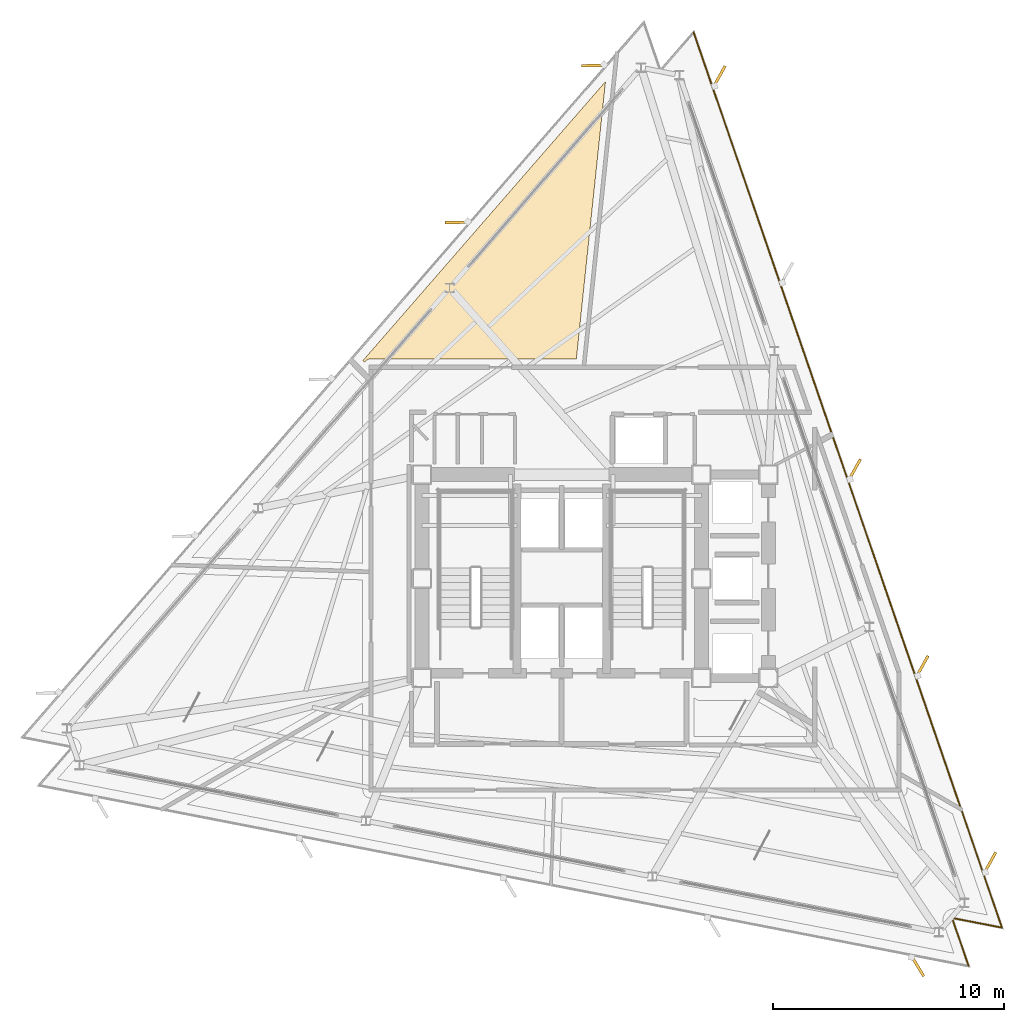
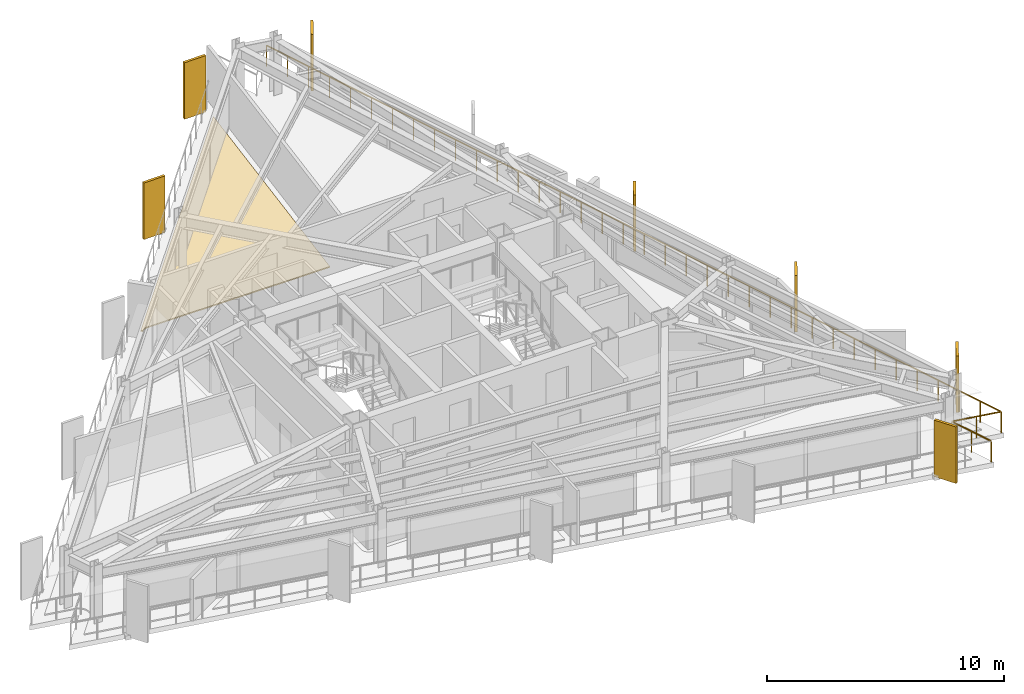
# One storey, part 13 of 13: 7 shading devices, 1 covering, 1 railing.
"""IFC4 building model written with IfcOpenShell, lengths in metres."""

from ifc_helpers import new_model, si_unit, direction, frame, origin, origin_2d, place, context, subcontext, project, spatial, polyline, rectangle, outline, extrude, material, layer, layer_set, type_object, element, save


model = new_model("IFC4")

# Units and contexts
model_context = context("Model", 3, precision=1e-05, world=origin(), true_north=direction((0.0, 1.0)))
body_context = subcontext(model_context, "Body", "Model", "MODEL_VIEW")
ifc_project = project(units=[si_unit("LENGTHUNIT", "METRE"), si_unit("AREAUNIT", "SQUARE_METRE"), si_unit("VOLUMEUNIT", "CUBIC_METRE"), si_unit("PLANEANGLEUNIT", "RADIAN"), si_unit("MASSUNIT", "GRAM", prefix="KILO")], contexts=[model_context])

# Site, building, storey
site_placement = place(None, origin())
site = spatial("IfcSite", under=ifc_project, at=site_placement, CompositionType="ELEMENT")
building_placement = place(site_placement, origin())
building = spatial("IfcBuilding", under=site, at=building_placement, Name="Rocaltana Carrier Exchange", CompositionType="ELEMENT")
storey_placement = place(building_placement, frame((0.0, 0.0, 165.43994140625)))
storey = spatial("IfcBuildingStorey", under=building, at=storey_placement, Name="L52", CompositionType="ELEMENT", Elevation=165.43994140625)

# Covering
ifc_material_1 = material(Name="Calcium Sulphate & Aluminium Pedestal", Category="aluminium")
ifc_layer_1 = layer(ifc_material_1, 0.06005859375)
ifc_layer_set_1 = layer_set([ifc_layer_1], Name="Calcium Sulphate & Aluminium Pedestal")
covering_type = type_object("IfcCoveringType", Name="Anti-Static Raised Exchange Access Floor 60", PredefinedType="FLOORING", material=ifc_layer_set_1)
covering_placement = place(storey_placement, origin())
element("IfcCovering", 1, at=covering_placement, inside=storey, type_object=covering_type, Name="L52 Quiet Focus Lounge Finish Floor", PredefinedType="FLOORING", context=body_context, shape_type="SweptSolid", body=[
    extrude(outline(polyline([(-8.54052734375, 9.3623046875), (-8.607421875, 9.431396484375), (1.899658203125, 21.518310546875), (0.6376953125, 9.510009765625), (-8.25, 9.510009765625), (-8.263671875, 9.509765625), (-8.271484375, 9.50927734375), (-8.298828125, 9.506591796875), (-8.306640625, 9.50537109375), (-8.33349609375, 9.5), (-8.34130859375, 9.498291015625), (-8.36767578125, 9.490234375), (-8.375, 9.487548828125), (-8.400390625, 9.47705078125), (-8.407470703125, 9.4736328125), (-8.431640625, 9.460693359375), (-8.4384765625, 9.456787109375), (-8.461181640625, 9.44140625), (-8.467529296875, 9.436767578125), (-8.48876953125, 9.419189453125), (-8.49462890625, 9.4140625), (-8.513916015625, 9.39453125), (-8.519287109375, 9.388916015625), (-8.53662109375, 9.367431640625), (-8.54052734375, 9.3623046875)])), origin(), (0.0, 0.0, 1.0), 0.06005859375),
])

# Shading devices
ifc_material_2 = material(Name="Honed Bogota Sandstone & Concrete C45/55", Category="masonry")
ifc_layer_2 = layer(ifc_material_2, 0.1201171875)
ifc_layer_set_2 = layer_set([ifc_layer_2], Name="Honed Bogota Sandstone & Concrete C45/55")
shading_device_type = type_object("IfcShadingDeviceType", Name="Upper Sandstone Shading Fin 1050x120", PredefinedType="USERDEFINED", material=ifc_layer_set_2)
for number, where, z_axis, x_axis, name in (
    (2, (18.541748046875, -12.3095703125, -0.1201171875), (0.0, 0.0, 1.0), (0.484809620246, 0.874619707139, 0.0), "L52 Sandstone Vertical Fin F1-01"),
    (3, (15.61181640625, -3.7998046875, -0.1201171875), (0.0, 0.0, 1.0), (0.484809620246, 0.874619707139, 0.0), "L52 Sandstone Vertical Fin F1-02"),
    (4, (12.681396484375, 4.709716796875, -0.1201171875), (0.0, 0.0, 1.0), (0.484809620246, 0.874619707139, 0.0), "L52 Sandstone Vertical Fin F1-03"),
    (5, (6.8212890625, 21.729248046875, -0.1201171875), (0.0, 0.0, 1.0), (0.484809620246, 0.874619707139, 0.0), "L52 Sandstone Vertical Fin F1-05"),
    (6, (1.389404296875, 22.21240234375, -0.1201171875), (0.0, 0.0, 1.0), (-0.999847695156, -0.017452406437, 0.0), "L52 Sandstone Vertical Fin F2-01"),
    (7, (-4.51513671875, 15.419921875, -0.1201171875), (0.0, 0.0, 1.0), (-0.999847695156, -0.017452406437, 0.0), "L52 Sandstone Vertical Fin F2-02"),
    (8, (15.407470703125, -16.77197265625, -0.1201171875), (0.0, 0.0, 1.0), (0.51503807491, -0.857167300702, 0.0), "L52 Sandstone Vertical Fin F3-05"),
):
    element("IfcShadingDevice", number, at=place(storey_placement, frame(where, z_axis=z_axis, x_axis=x_axis)), inside=storey, type_object=shading_device_type, Name=name, ObjectType="FIN", PredefinedType="USERDEFINED", context=body_context, shape_type="SweptSolid", body=[
        extrude(rectangle(XDim=1.050048828125, YDim=0.1201171875, at=origin_2d()), origin(), (0.0, 0.0, 1.0), 2.907958984375),
    ])

# Railing
ifc_material_3 = material(Name="Powder-Coated Aluminium 6063-T6", Category="aluminium")
ifc_layer_3 = layer(ifc_material_3, 0.06005859375)
ifc_layer_set_3 = layer_set([ifc_layer_3], Name="Powder-Coated Aluminium 6063-T6")
railing_type = type_object("IfcRailingType", Name="Wind-Floor & Terrace Perimeter Guardrail 1100", PredefinedType="GUARDRAIL", material=ifc_layer_set_3)
railing_placement = place(storey_placement, frame((5.716796875, 23.6455078125, 0.0)))
element("IfcRailing", 9, at=railing_placement, inside=storey, type_object=railing_type, Name="L52 Perimeter Balcony Guardrail 3", PredefinedType="GUARDRAIL", context=body_context, shape_type="SweptSolid", body=[
    extrude(rectangle(XDim=0.048095703125, YDim=0.048095703125, at=origin_2d()), frame((0.0, 0.0, 1.076171875), z_axis=(0.325567757379, -0.945518712324, 0.0), x_axis=(0.945518712324, 0.325567757379, 0.0)), (0.0, 0.0, 1.0), 40.9921875),
    extrude(rectangle(XDim=0.048095703125, YDim=0.048095703125, at=origin_2d()), frame((13.345703125, -38.7587890625, 1.076171875), z_axis=(-0.981637329589, 0.190756790591, 0.0), x_axis=(-0.190756790591, -0.981637329589, 0.0)), (0.0, 0.0, 1.0), 2.199951171875),
    extrude(rectangle(XDim=0.048095703125, YDim=0.048095703125, at=origin_2d()), frame((11.18603515625, -38.339111328125, 1.076171875), z_axis=(0.325600768791, -0.945507344955, 0.0), x_axis=(0.945507344955, 0.325600768791, 0.0)), (0.0, 0.0, 1.0), 2.199951171875),
    extrude(rectangle(XDim=0.0419921875, YDim=0.0419921875, at=origin_2d()), origin(), (0.0, 0.0, 1.0), 1.052001953125),
    extrude(rectangle(XDim=0.0419921875, YDim=0.0419921875, at=origin_2d()), frame((0.38134765625, -1.107421875, 0.0)), (0.0, 0.0, 1.0), 1.052001953125),
    extrude(rectangle(XDim=0.0419921875, YDim=0.0419921875, at=origin_2d()), frame((0.7626953125, -2.21484375, 0.0)), (0.0, 0.0, 1.0), 1.052001953125),
    extrude(rectangle(XDim=0.0419921875, YDim=0.0419921875, at=origin_2d()), frame((1.143798828125, -3.322265625, 0.0)), (0.0, 0.0, 1.0), 1.052001953125),
    extrude(rectangle(XDim=0.0419921875, YDim=0.0419921875, at=origin_2d()), frame((1.525146484375, -4.4296875, 0.0)), (0.0, 0.0, 1.0), 1.052001953125),
    extrude(rectangle(XDim=0.0419921875, YDim=0.0419921875, at=origin_2d()), frame((1.906494140625, -5.536865234375, 0.0)), (0.0, 0.0, 1.0), 1.052001953125),
    extrude(rectangle(XDim=0.0419921875, YDim=0.0419921875, at=origin_2d()), frame((2.287841796875, -6.644287109375, 0.0)), (0.0, 0.0, 1.0), 1.052001953125),
    extrude(rectangle(XDim=0.0419921875, YDim=0.0419921875, at=origin_2d()), frame((2.669189453125, -7.751708984375, 0.0)), (0.0, 0.0, 1.0), 1.052001953125),
    extrude(rectangle(XDim=0.0419921875, YDim=0.0419921875, at=origin_2d()), frame((3.050537109375, -8.859130859375, 0.0)), (0.0, 0.0, 1.0), 1.052001953125),
    extrude(rectangle(XDim=0.0419921875, YDim=0.0419921875, at=origin_2d()), frame((3.431640625, -9.966552734375, 0.0)), (0.0, 0.0, 1.0), 1.052001953125),
    extrude(rectangle(XDim=0.0419921875, YDim=0.0419921875, at=origin_2d()), frame((3.81298828125, -11.073974609375, 0.0)), (0.0, 0.0, 1.0), 1.052001953125),
    extrude(rectangle(XDim=0.0419921875, YDim=0.0419921875, at=origin_2d()), frame((4.1943359375, -12.181396484375, 0.0)), (0.0, 0.0, 1.0), 1.052001953125),
    extrude(rectangle(XDim=0.0419921875, YDim=0.0419921875, at=origin_2d()), frame((4.57568359375, -13.288818359375, 0.0)), (0.0, 0.0, 1.0), 1.052001953125),
    extrude(rectangle(XDim=0.0419921875, YDim=0.0419921875, at=origin_2d()), frame((4.95703125, -14.396240234375, 0.0)), (0.0, 0.0, 1.0), 1.052001953125),
    extrude(rectangle(XDim=0.0419921875, YDim=0.0419921875, at=origin_2d()), frame((5.33837890625, -15.50341796875, 0.0)), (0.0, 0.0, 1.0), 1.052001953125),
    extrude(rectangle(XDim=0.0419921875, YDim=0.0419921875, at=origin_2d()), frame((5.719482421875, -16.61083984375, 0.0)), (0.0, 0.0, 1.0), 1.052001953125),
    extrude(rectangle(XDim=0.0419921875, YDim=0.0419921875, at=origin_2d()), frame((6.100830078125, -17.71826171875, 0.0)), (0.0, 0.0, 1.0), 1.052001953125),
    extrude(rectangle(XDim=0.0419921875, YDim=0.0419921875, at=origin_2d()), frame((6.482177734375, -18.82568359375, 0.0)), (0.0, 0.0, 1.0), 1.052001953125),
    extrude(rectangle(XDim=0.0419921875, YDim=0.0419921875, at=origin_2d()), frame((6.863525390625, -19.93310546875, 0.0)), (0.0, 0.0, 1.0), 1.052001953125),
    extrude(rectangle(XDim=0.0419921875, YDim=0.0419921875, at=origin_2d()), frame((7.244873046875, -21.04052734375, 0.0)), (0.0, 0.0, 1.0), 1.052001953125),
    extrude(rectangle(XDim=0.0419921875, YDim=0.0419921875, at=origin_2d()), frame((7.626220703125, -22.14794921875, 0.0)), (0.0, 0.0, 1.0), 1.052001953125),
    extrude(rectangle(XDim=0.0419921875, YDim=0.0419921875, at=origin_2d()), frame((8.00732421875, -23.25537109375, 0.0)), (0.0, 0.0, 1.0), 1.052001953125),
    extrude(rectangle(XDim=0.0419921875, YDim=0.0419921875, at=origin_2d()), frame((8.388671875, -24.362548828125, 0.0)), (0.0, 0.0, 1.0), 1.052001953125),
    extrude(rectangle(XDim=0.0419921875, YDim=0.0419921875, at=origin_2d()), frame((8.77001953125, -25.469970703125, 0.0)), (0.0, 0.0, 1.0), 1.052001953125),
    extrude(rectangle(XDim=0.0419921875, YDim=0.0419921875, at=origin_2d()), frame((9.1513671875, -26.577392578125, 0.0)), (0.0, 0.0, 1.0), 1.052001953125),
    extrude(rectangle(XDim=0.0419921875, YDim=0.0419921875, at=origin_2d()), frame((9.53271484375, -27.684814453125, 0.0)), (0.0, 0.0, 1.0), 1.052001953125),
    extrude(rectangle(XDim=0.0419921875, YDim=0.0419921875, at=origin_2d()), frame((9.9140625, -28.792236328125, 0.0)), (0.0, 0.0, 1.0), 1.052001953125),
    extrude(rectangle(XDim=0.0419921875, YDim=0.0419921875, at=origin_2d()), frame((10.295166015625, -29.899658203125, 0.0)), (0.0, 0.0, 1.0), 1.052001953125),
    extrude(rectangle(XDim=0.0419921875, YDim=0.0419921875, at=origin_2d()), frame((10.676513671875, -31.007080078125, 0.0)), (0.0, 0.0, 1.0), 1.052001953125),
    extrude(rectangle(XDim=0.0419921875, YDim=0.0419921875, at=origin_2d()), frame((11.057861328125, -32.114501953125, 0.0)), (0.0, 0.0, 1.0), 1.052001953125),
    extrude(rectangle(XDim=0.0419921875, YDim=0.0419921875, at=origin_2d()), frame((11.439208984375, -33.221923828125, 0.0)), (0.0, 0.0, 1.0), 1.052001953125),
    extrude(rectangle(XDim=0.0419921875, YDim=0.0419921875, at=origin_2d()), frame((11.820556640625, -34.3291015625, 0.0)), (0.0, 0.0, 1.0), 1.052001953125),
    extrude(rectangle(XDim=0.0419921875, YDim=0.0419921875, at=origin_2d()), frame((12.201904296875, -35.4365234375, 0.0)), (0.0, 0.0, 1.0), 1.052001953125),
    extrude(rectangle(XDim=0.0419921875, YDim=0.0419921875, at=origin_2d()), frame((12.5830078125, -36.5439453125, 0.0)), (0.0, 0.0, 1.0), 1.052001953125),
    extrude(rectangle(XDim=0.0419921875, YDim=0.0419921875, at=origin_2d()), frame((12.96435546875, -37.6513671875, 0.0)), (0.0, 0.0, 1.0), 1.052001953125),
    extrude(rectangle(XDim=0.0419921875, YDim=0.0419921875, at=origin_2d()), frame((13.345703125, -38.7587890625, 0.0)), (0.0, 0.0, 1.0), 1.052001953125),
    extrude(rectangle(XDim=0.0419921875, YDim=0.0419921875, at=origin_2d()), frame((12.265869140625, -38.548828125, 0.0)), (0.0, 0.0, 1.0), 1.052001953125),
    extrude(rectangle(XDim=0.0419921875, YDim=0.0419921875, at=origin_2d()), frame((11.18603515625, -38.339111328125, 0.0)), (0.0, 0.0, 1.0), 1.052001953125),
    extrude(rectangle(XDim=0.0419921875, YDim=0.0419921875, at=origin_2d()), frame((11.544189453125, -39.379150390625, 0.0)), (0.0, 0.0, 1.0), 1.052001953125),
    extrude(rectangle(XDim=0.0419921875, YDim=0.0419921875, at=origin_2d()), frame((11.90234375, -40.419189453125, 0.0)), (0.0, 0.0, 1.0), 1.052001953125),
])

save(model, "model.ifc")
